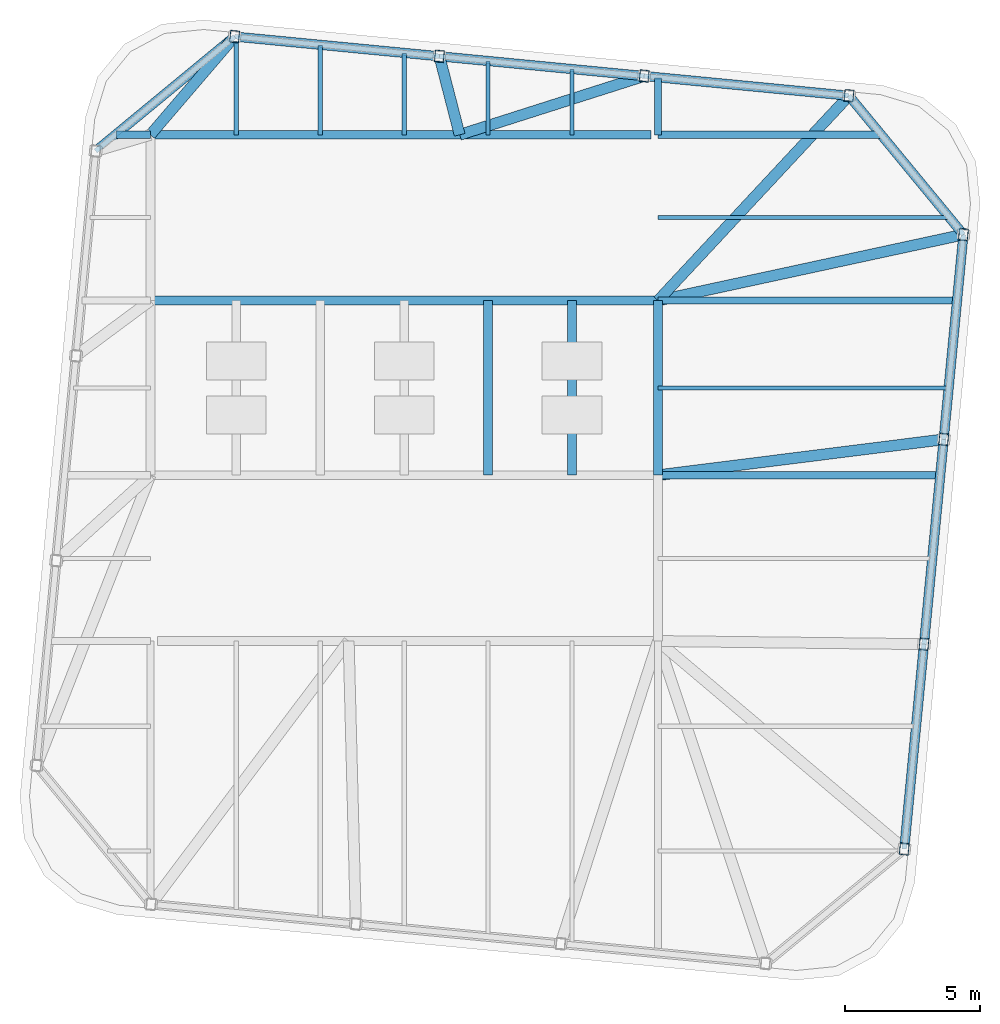
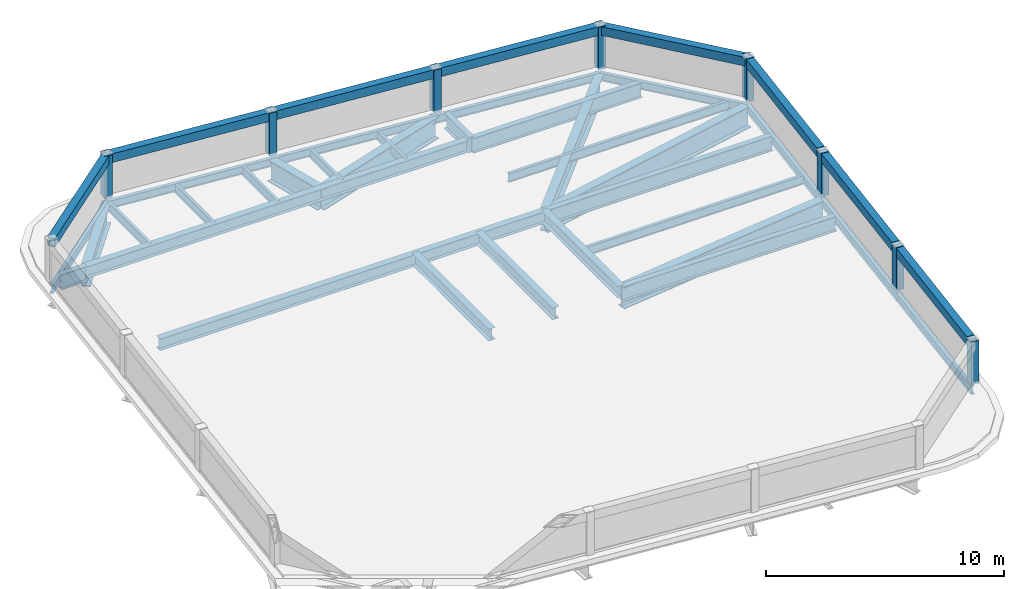
# One storey, part 2 of 4: 31 beams, 16 members.
"""IFC4 building model written with IfcOpenShell, lengths in metres."""

from ifc_helpers import new_model, si_unit, direction, frame, origin, origin_2d, place, context, subcontext, project, spatial, hollow_rectangle, i_section, extrude, material, material_profile, profile_set, type_object, element, save


model = new_model("IFC4")

# Units and contexts
model_context = context("Model", 3, precision=1e-05, world=origin(), true_north=direction((0.0, 1.0)))
body_context = subcontext(model_context, "Body", "Model", "MODEL_VIEW")
ifc_project = project(units=[si_unit("LENGTHUNIT", "METRE"), si_unit("AREAUNIT", "SQUARE_METRE"), si_unit("VOLUMEUNIT", "CUBIC_METRE"), si_unit("PLANEANGLEUNIT", "RADIAN"), si_unit("MASSUNIT", "GRAM", prefix="KILO")], contexts=[model_context])

# Site, building, storey
site_placement = place(None, origin())
site = spatial("IfcSite", under=ifc_project, at=site_placement, CompositionType="ELEMENT")
building_placement = place(site_placement, origin())
building = spatial("IfcBuilding", under=site, at=building_placement, Name="Qhalaya Broadcast Tower", CompositionType="ELEMENT")
storey_placement = place(building_placement, frame((0.0, 0.0, 296.75)))
storey = spatial("IfcBuildingStorey", under=building, at=storey_placement, Name="Roof", CompositionType="ELEMENT", Elevation=296.75)

# Beams
ifc_material_1 = material(Name="Structural Steel ASTM A992 Grade 50", Category="steel")
ifc_material_profile_1 = material_profile(ifc_material_1, i_section(OverallWidth=0.154052734375, OverallDepth=0.458984375, WebThickness=0.009033203125, FlangeThickness=0.015380859375, at=origin_2d()), Name="W18X46")
ifc_profile_set_1 = profile_set([ifc_material_profile_1], Name="Structural Steel ASTM A992 Grade 50")
beam_type_1 = type_object("IfcBeamType", Name="Composite Floor Joist J04", PredefinedType="JOIST", material=ifc_profile_set_1)
beam_1_placement = place(storey_placement, frame((-6.199951171875, 9.949951171875, -0.489501953125), z_axis=(0.0, 1.0, 0.0), x_axis=(-1.0, 0.0, 0.0)))
element("IfcBeam", 1, at=beam_1_placement, inside=storey, type_object=beam_type_1, Name="Roof J04 Roof-JNN1-1", PredefinedType="JOIST", context=body_context, shape_type="SweptSolid", body=[
    extrude(i_section(OverallWidth=0.154052734375, OverallDepth=0.458984375, WebThickness=0.009033203125, FlangeThickness=0.015380859375, at=origin_2d()), origin(), (0.0, 0.0, 1.0), 3.602294921875),
])
beam_2_placement = place(storey_placement, frame((-3.10009765625, 9.949951171875, -0.489501953125), z_axis=(0.0, 1.0, 0.0), x_axis=(-1.0, 0.0, 0.0)))
element("IfcBeam", 2, at=beam_2_placement, inside=storey, type_object=beam_type_1, Name="Roof J04 Roof-JNN2-1", PredefinedType="JOIST", context=body_context, shape_type="SweptSolid", body=[
    extrude(i_section(OverallWidth=0.154052734375, OverallDepth=0.458984375, WebThickness=0.009033203125, FlangeThickness=0.015380859375, at=origin_2d()), origin(), (0.0, 0.0, 1.0), 3.3037109375),
])
beam_3_placement = place(storey_placement, frame((0.0, 9.949951171875, -0.489501953125), z_axis=(0.0, 1.0, 0.0), x_axis=(-1.0, 0.0, 0.0)))
element("IfcBeam", 3, at=beam_3_placement, inside=storey, type_object=beam_type_1, Name="Roof J04 Roof-JNN3-1", PredefinedType="JOIST", context=body_context, shape_type="SweptSolid", body=[
    extrude(i_section(OverallWidth=0.154052734375, OverallDepth=0.458984375, WebThickness=0.009033203125, FlangeThickness=0.015380859375, at=origin_2d()), origin(), (0.0, 0.0, 1.0), 3.005126953125),
])
beam_4_placement = place(storey_placement, frame((3.10009765625, 9.949951171875, -0.489501953125), z_axis=(0.0, 1.0, 0.0), x_axis=(-1.0, 0.0, 0.0)))
element("IfcBeam", 4, at=beam_4_placement, inside=storey, type_object=beam_type_1, Name="Roof J04 Roof-JNN4-1", PredefinedType="JOIST", context=body_context, shape_type="SweptSolid", body=[
    extrude(i_section(OverallWidth=0.154052734375, OverallDepth=0.458984375, WebThickness=0.009033203125, FlangeThickness=0.015380859375, at=origin_2d()), origin(), (0.0, 0.0, 1.0), 2.706787109375),
])
beam_5_placement = place(storey_placement, frame((6.199951171875, 9.949951171875, -0.489501953125), z_axis=(0.0, 1.0, 0.0), x_axis=(-1.0, 0.0, 0.0)))
element("IfcBeam", 5, at=beam_5_placement, inside=storey, type_object=beam_type_1, Name="Roof J04 Roof-JNN5-1", PredefinedType="JOIST", context=body_context, shape_type="SweptSolid", body=[
    extrude(i_section(OverallWidth=0.154052734375, OverallDepth=0.458984375, WebThickness=0.009033203125, FlangeThickness=0.015380859375, at=origin_2d()), origin(), (0.0, 0.0, 1.0), 2.408447265625),
])
beam_6_placement = place(storey_placement, frame((9.375, 0.60009765625, -0.489501953125), z_axis=(1.0, 0.0, 0.0), x_axis=(0.0, 1.0, 0.0)))
element("IfcBeam", 6, at=beam_6_placement, inside=storey, type_object=beam_type_1, Name="Roof J04 Roof-JWE4E-1", PredefinedType="JOIST", context=body_context, shape_type="SweptSolid", body=[
    extrude(i_section(OverallWidth=0.154052734375, OverallDepth=0.458984375, WebThickness=0.009033203125, FlangeThickness=0.015380859375, at=origin_2d()), origin(), (0.0, 0.0, 1.0), 10.718017578125),
])
beam_7_placement = place(storey_placement, frame((9.375, 6.89990234375, -0.489501953125), z_axis=(1.0, 0.0, 0.0), x_axis=(0.0, 1.0, 0.0)))
element("IfcBeam", 7, at=beam_7_placement, inside=storey, type_object=beam_type_1, Name="Roof J04 Roof-JWE5E-1", PredefinedType="JOIST", context=body_context, shape_type="SweptSolid", body=[
    extrude(i_section(OverallWidth=0.154052734375, OverallDepth=0.458984375, WebThickness=0.009033203125, FlangeThickness=0.015380859375, at=origin_2d()), origin(), (0.0, 0.0, 1.0), 10.733642578125),
])
ifc_material_profile_2 = material_profile(ifc_material_1, i_section(OverallWidth=0.323974609375, OverallDepth=0.612060546875, WebThickness=0.0126953125, FlangeThickness=0.01904296875, at=origin_2d()), Name="W24X104")
ifc_profile_set_2 = profile_set([ifc_material_profile_2], Name="Structural Steel ASTM A992 Grade 50")
beam_type_2 = type_object("IfcBeamType", Name="Core Frame Tie Beam B04", PredefinedType="BEAM", material=ifc_profile_set_2)
beam_8_placement = place(storey_placement, frame((-9.375, 3.824951171875, -0.56591796875), z_axis=(1.0, 0.0, 0.0), x_axis=(0.0, 1.0, 0.0)))
element("IfcBeam", 8, at=beam_8_placement, inside=storey, type_object=beam_type_2, Name="Roof B04 Roof-CCN1", PredefinedType="BEAM", context=body_context, shape_type="SweptSolid", body=[
    extrude(i_section(OverallWidth=0.323974609375, OverallDepth=0.612060546875, WebThickness=0.0126953125, FlangeThickness=0.01904296875, at=origin_2d()), origin(), (0.0, 0.0, 1.0), 18.75),
])
beam_9_placement = place(storey_placement, frame((-9.375, 9.949951171875, -0.56591796875), z_axis=(1.0, 0.0, 0.0), x_axis=(0.0, 1.0, 0.0)))
element("IfcBeam", 9, at=beam_9_placement, inside=storey, type_object=beam_type_2, Name="Roof B04 Roof-CCN3", PredefinedType="BEAM", context=body_context, shape_type="SweptSolid", body=[
    extrude(i_section(OverallWidth=0.323974609375, OverallDepth=0.612060546875, WebThickness=0.0126953125, FlangeThickness=0.01904296875, at=origin_2d()), origin(), (0.0, 0.0, 1.0), 18.4951171875),
])
for number, where, z_axis, x_axis, name in (
    (10, (9.375, -2.625, -0.56591796875), (0.0, 1.0, 0.0), (-1.0, 0.0, 0.0), "Roof B04 Roof-CCE"),
    (11, (3.10009765625, -2.625, -0.56591796875), (0.0, 1.0, 0.0), (-1.0, 0.0, 0.0), "Roof B04 Roof-JC4-1"),
    (12, (6.199951171875, -2.625, -0.56591796875), (0.0, 1.0, 0.0), (-1.0, 0.0, 0.0), "Roof B04 Roof-JC5-1"),
):
    element("IfcBeam", number, at=place(storey_placement, frame(where, z_axis=z_axis, x_axis=x_axis)), inside=storey, type_object=beam_type_2, Name=name, PredefinedType="BEAM", context=body_context, shape_type="SweptSolid", body=[
        extrude(i_section(OverallWidth=0.323974609375, OverallDepth=0.612060546875, WebThickness=0.0126953125, FlangeThickness=0.01904296875, at=origin_2d()), origin(), (0.0, 0.0, 1.0), 6.449951171875),
    ])

# Members
ifc_material_2 = material(Name="Structural Steel ASTM A572 Grade 50", Category="steel")
ifc_material_profile_3 = material_profile(ifc_material_2, hollow_rectangle(XDim=0.35009765625, YDim=0.449951171875, WallThickness=0.02490234375, at=origin_2d()), Name="BOX 350x450x25")
ifc_profile_set_3 = profile_set([ifc_material_profile_3], Name="Structural Steel ASTM A572 Grade 50")
member_type = type_object("IfcMemberType", Name="Crown Frame Structural Post & Cap CF1", PredefinedType="STRUT", material=ifc_profile_set_3)
member_1_placement = place(storey_placement, frame((18.47314453125, -16.4306640625, 0.0), z_axis=(0.0, 0.0, 1.0), x_axis=(0.995396198367, -0.09584575252, 0.0)))
element("IfcMember", 13, at=member_1_placement, inside=storey, type_object=member_type, Name="CROWN FRAME Post CF-05", PredefinedType="STRUT", context=body_context, shape_type="SweptSolid", body=[
    extrude(hollow_rectangle(XDim=0.35009765625, YDim=0.449951171875, WallThickness=0.02490234375, at=origin_2d()), origin(), (0.0, 0.0, 1.0), 2.199951171875),
])
member_2_placement = place(storey_placement, frame((18.47314453125, -16.4306640625, 1.97509765625), z_axis=(0.095855022822, 0.995395305695, 0.0), x_axis=(-0.995395305695, 0.095855022822, 0.0)))
element("IfcMember", 14, at=member_2_placement, inside=storey, type_object=member_type, Name="CROWN FRAME Cap Ring Beam CFR-05", PredefinedType="STRUT", context=body_context, shape_type="SweptSolid", body=[
    extrude(hollow_rectangle(XDim=0.35009765625, YDim=0.449951171875, WallThickness=0.02490234375, at=origin_2d()), origin(), (0.0, 0.0, 1.0), 7.60009765625),
])
member_3_placement = place(storey_placement, frame((19.20166015625, -8.865478515625, 0.0), z_axis=(0.0, 0.0, 1.0), x_axis=(0.995396198367, -0.09584575252, 0.0)))
element("IfcMember", 15, at=member_3_placement, inside=storey, type_object=member_type, Name="CROWN FRAME Post CF-06", PredefinedType="STRUT", context=body_context, shape_type="SweptSolid", body=[
    extrude(hollow_rectangle(XDim=0.35009765625, YDim=0.449951171875, WallThickness=0.02490234375, at=origin_2d()), origin(), (0.0, 0.0, 1.0), 2.199951171875),
])
member_4_placement = place(storey_placement, frame((19.20166015625, -8.865478515625, 1.97509765625), z_axis=(0.095858087892, 0.995395010529, 0.0), x_axis=(-0.995395010529, 0.095858087892, 0.0)))
element("IfcMember", 16, at=member_4_placement, inside=storey, type_object=member_type, Name="CROWN FRAME Cap Ring Beam CFR-06", PredefinedType="STRUT", context=body_context, shape_type="SweptSolid", body=[
    extrude(hollow_rectangle(XDim=0.35009765625, YDim=0.449951171875, WallThickness=0.02490234375, at=origin_2d()), origin(), (0.0, 0.0, 1.0), 7.599853515625),
])
member_5_placement = place(storey_placement, frame((19.93017578125, -1.300537109375, 0.0), z_axis=(0.0, 0.0, 1.0), x_axis=(0.995396198367, -0.09584575252, 0.0)))
element("IfcMember", 17, at=member_5_placement, inside=storey, type_object=member_type, Name="CROWN FRAME Post CF-07", PredefinedType="STRUT", context=body_context, shape_type="SweptSolid", body=[
    extrude(hollow_rectangle(XDim=0.35009765625, YDim=0.449951171875, WallThickness=0.02490234375, at=origin_2d()), origin(), (0.0, 0.0, 1.0), 2.199951171875),
])
member_6_placement = place(storey_placement, frame((19.93017578125, -1.300537109375, 1.97509765625), z_axis=(0.095826258901, 0.995398075197, 0.0), x_axis=(-0.995398075197, 0.095826258901, 0.0)))
element("IfcMember", 18, at=member_6_placement, inside=storey, type_object=member_type, Name="CROWN FRAME Cap Ring Beam CFR-07", PredefinedType="STRUT", context=body_context, shape_type="SweptSolid", body=[
    extrude(hollow_rectangle(XDim=0.35009765625, YDim=0.449951171875, WallThickness=0.02490234375, at=origin_2d()), origin(), (0.0, 0.0, 1.0), 7.599853515625),
])
member_7_placement = place(storey_placement, frame((20.658447265625, 6.264404296875, 0.0), z_axis=(0.0, 0.0, 1.0), x_axis=(0.995396198367, -0.09584575252, 0.0)))
element("IfcMember", 19, at=member_7_placement, inside=storey, type_object=member_type, Name="CROWN FRAME Post CF-08", PredefinedType="STRUT", context=body_context, shape_type="SweptSolid", body=[
    extrude(hollow_rectangle(XDim=0.35009765625, YDim=0.449951171875, WallThickness=0.02490234375, at=origin_2d()), origin(), (0.0, 0.0, 1.0), 2.199951171875),
])
member_8_placement = place(storey_placement, frame((20.658447265625, 6.264404296875, 1.97509765625), z_axis=(-0.636063812645, 0.771636459898, 0.0), x_axis=(-0.771636459898, -0.636063812645, 0.0)))
element("IfcMember", 20, at=member_8_placement, inside=storey, type_object=member_type, Name="CROWN FRAME Cap Ring Beam CFR-08", PredefinedType="STRUT", context=body_context, shape_type="SweptSolid", body=[
    extrude(hollow_rectangle(XDim=0.35009765625, YDim=0.449951171875, WallThickness=0.02490234375, at=origin_2d()), origin(), (0.0, 0.0, 1.0), 6.646728515625),
])
member_9_placement = place(storey_placement, frame((16.4306640625, 11.393310546875, 0.0), z_axis=(0.0, 0.0, 1.0), x_axis=(0.995396198367, -0.09584575252, 0.0)))
element("IfcMember", 21, at=member_9_placement, inside=storey, type_object=member_type, Name="CROWN FRAME Post CF-09", PredefinedType="STRUT", context=body_context, shape_type="SweptSolid", body=[
    extrude(hollow_rectangle(XDim=0.35009765625, YDim=0.449951171875, WallThickness=0.02490234375, at=origin_2d()), origin(), (0.0, 0.0, 1.0), 2.199951171875),
])
member_10_placement = place(storey_placement, frame((16.4306640625, 11.393310546875, 1.97509765625), z_axis=(-0.995398370168, 0.09582319483, 0.0), x_axis=(-0.09582319483, -0.995398370168, 0.0)))
element("IfcMember", 22, at=member_10_placement, inside=storey, type_object=member_type, Name="CROWN FRAME Cap Ring Beam CFR-09", PredefinedType="STRUT", context=body_context, shape_type="SweptSolid", body=[
    extrude(hollow_rectangle(XDim=0.35009765625, YDim=0.449951171875, WallThickness=0.02490234375, at=origin_2d()), origin(), (0.0, 0.0, 1.0), 7.60009765625),
])
member_11_placement = place(storey_placement, frame((8.865478515625, 12.12158203125, 0.0), z_axis=(0.0, 0.0, 1.0), x_axis=(0.995396198367, -0.09584575252, 0.0)))
element("IfcMember", 23, at=member_11_placement, inside=storey, type_object=member_type, Name="CROWN FRAME Post CF-10", PredefinedType="STRUT", context=body_context, shape_type="SweptSolid", body=[
    extrude(hollow_rectangle(XDim=0.35009765625, YDim=0.449951171875, WallThickness=0.02490234375, at=origin_2d()), origin(), (0.0, 0.0, 1.0), 2.199951171875),
])
member_12_placement = place(storey_placement, frame((8.865478515625, 12.12158203125, 1.97509765625), z_axis=(-0.995395010529, 0.095858087892, 0.0), x_axis=(-0.095858087892, -0.995395010529, 0.0)))
element("IfcMember", 24, at=member_12_placement, inside=storey, type_object=member_type, Name="CROWN FRAME Cap Ring Beam CFR-10", PredefinedType="STRUT", context=body_context, shape_type="SweptSolid", body=[
    extrude(hollow_rectangle(XDim=0.35009765625, YDim=0.449951171875, WallThickness=0.02490234375, at=origin_2d()), origin(), (0.0, 0.0, 1.0), 7.599853515625),
])
member_13_placement = place(storey_placement, frame((1.300537109375, 12.85009765625, 0.0), z_axis=(0.0, 0.0, 1.0), x_axis=(0.995396198367, -0.09584575252, 0.0)))
element("IfcMember", 25, at=member_13_placement, inside=storey, type_object=member_type, Name="CROWN FRAME Post CF-11", PredefinedType="STRUT", context=body_context, shape_type="SweptSolid", body=[
    extrude(hollow_rectangle(XDim=0.35009765625, YDim=0.449951171875, WallThickness=0.02490234375, at=origin_2d()), origin(), (0.0, 0.0, 1.0), 2.199951171875),
])
member_14_placement = place(storey_placement, frame((1.300537109375, 12.85009765625, 1.97509765625), z_axis=(-0.995395010529, 0.095858087892, 0.0), x_axis=(-0.095858087892, -0.995395010529, 0.0)))
element("IfcMember", 26, at=member_14_placement, inside=storey, type_object=member_type, Name="CROWN FRAME Cap Ring Beam CFR-11", PredefinedType="STRUT", context=body_context, shape_type="SweptSolid", body=[
    extrude(hollow_rectangle(XDim=0.35009765625, YDim=0.449951171875, WallThickness=0.02490234375, at=origin_2d()), origin(), (0.0, 0.0, 1.0), 7.599853515625),
])
member_15_placement = place(storey_placement, frame((-6.264404296875, 13.57861328125, 0.0), z_axis=(0.0, 0.0, 1.0), x_axis=(0.995396198367, -0.09584575252, 0.0)))
element("IfcMember", 27, at=member_15_placement, inside=storey, type_object=member_type, Name="CROWN FRAME Post CF-12", PredefinedType="STRUT", context=body_context, shape_type="SweptSolid", body=[
    extrude(hollow_rectangle(XDim=0.35009765625, YDim=0.449951171875, WallThickness=0.02490234375, at=origin_2d()), origin(), (0.0, 0.0, 1.0), 2.199951171875),
])
member_16_placement = place(storey_placement, frame((-6.264404296875, 13.57861328125, 1.97509765625), z_axis=(-0.771618432262, -0.636085682117, 0.0), x_axis=(0.636085682117, -0.771618432262, 0.0)))
element("IfcMember", 28, at=member_16_placement, inside=storey, type_object=member_type, Name="CROWN FRAME Cap Ring Beam CFR-12", PredefinedType="STRUT", context=body_context, shape_type="SweptSolid", body=[
    extrude(hollow_rectangle(XDim=0.35009765625, YDim=0.449951171875, WallThickness=0.02490234375, at=origin_2d()), origin(), (0.0, 0.0, 1.0), 6.64697265625),
])

# Beams
ifc_material_profile_4 = material_profile(ifc_material_1, i_section(OverallWidth=0.26708984375, OverallDepth=0.780029296875, WebThickness=0.0166015625, FlangeThickness=0.030029296875, at=origin_2d()), Name="W30X148")
ifc_profile_set_4 = profile_set([ifc_material_profile_4], Name="Structural Steel ASTM A992 Grade 50")
beam_type_3 = type_object("IfcBeamType", Name="Neck & Crown Primary Girder PG5", PredefinedType="USERDEFINED", material=ifc_profile_set_4)
beam_10_placement = place(storey_placement, frame((9.375, 9.949951171875, -0.64990234375), z_axis=(0.0, 1.0, 0.0), x_axis=(-1.0, 0.0, 0.0)))
element("IfcBeam", 29, at=beam_10_placement, inside=storey, type_object=beam_type_3, Name="Roof PG5 Roof-PGXN2-1", ObjectType="GIRDER", PredefinedType="USERDEFINED", context=body_context, shape_type="SweptSolid", body=[
    extrude(i_section(OverallWidth=0.26708984375, OverallDepth=0.780029296875, WebThickness=0.0166015625, FlangeThickness=0.030029296875, at=origin_2d()), origin(), (0.0, 0.0, 1.0), 2.1025390625),
])
beam_11_placement = place(storey_placement, frame((9.375, -2.625, -0.64990234375), z_axis=(1.0, 0.0, 0.0), x_axis=(0.0, 1.0, 0.0)))
element("IfcBeam", 30, at=beam_11_placement, inside=storey, type_object=beam_type_3, Name="Roof PG5 Roof-PGYE2-1", ObjectType="GIRDER", PredefinedType="USERDEFINED", context=body_context, shape_type="SweptSolid", body=[
    extrude(i_section(OverallWidth=0.26708984375, OverallDepth=0.780029296875, WebThickness=0.0166015625, FlangeThickness=0.030029296875, at=origin_2d()), origin(), (0.0, 0.0, 1.0), 10.407470703125),
])
beam_12_placement = place(storey_placement, frame((9.375, 3.824951171875, -0.64990234375), z_axis=(1.0, 0.0, 0.0), x_axis=(0.0, 1.0, 0.0)))
element("IfcBeam", 31, at=beam_12_placement, inside=storey, type_object=beam_type_3, Name="Roof PG5 Roof-PGYE3-1", ObjectType="GIRDER", PredefinedType="USERDEFINED", context=body_context, shape_type="SweptSolid", body=[
    extrude(i_section(OverallWidth=0.26708984375, OverallDepth=0.780029296875, WebThickness=0.0166015625, FlangeThickness=0.030029296875, at=origin_2d()), origin(), (0.0, 0.0, 1.0), 11.028564453125),
])
beam_13_placement = place(storey_placement, frame((-10.634521484375, 9.949951171875, -0.64990234375), z_axis=(1.0, 0.0, 0.0), x_axis=(0.0, 1.0, 0.0)))
element("IfcBeam", 32, at=beam_13_placement, inside=storey, type_object=beam_type_3, Name="Roof PG5 Roof-PGYW4-1", ObjectType="GIRDER", PredefinedType="USERDEFINED", context=body_context, shape_type="SweptSolid", body=[
    extrude(i_section(OverallWidth=0.26708984375, OverallDepth=0.780029296875, WebThickness=0.0166015625, FlangeThickness=0.030029296875, at=origin_2d()), origin(), (0.0, 0.0, 1.0), 1.259521484375),
])
beam_14_placement = place(storey_placement, frame((9.375, 9.949951171875, -0.64990234375), z_axis=(1.0, 0.0, 0.0), x_axis=(0.0, 1.0, 0.0)))
element("IfcBeam", 33, at=beam_14_placement, inside=storey, type_object=beam_type_3, Name="Roof PG5 Roof-PGYE4-1", ObjectType="GIRDER", PredefinedType="USERDEFINED", context=body_context, shape_type="SweptSolid", body=[
    extrude(i_section(OverallWidth=0.26708984375, OverallDepth=0.780029296875, WebThickness=0.0166015625, FlangeThickness=0.030029296875, at=origin_2d()), origin(), (0.0, 0.0, 1.0), 8.219482421875),
])
ifc_material_profile_5 = material_profile(ifc_material_1, i_section(OverallWidth=0.404052734375, OverallDepth=1.117919921875, WebThickness=0.026123046875, FlangeThickness=0.044921875, at=origin_2d()), Name="W44X335")
ifc_profile_set_5 = profile_set([ifc_material_profile_5], Name="Structural Steel ASTM A992 Grade 50")
beam_type_4 = type_object("IfcBeamType", Name="Podium Long-Span Primary Girder PG1", PredefinedType="USERDEFINED", material=ifc_profile_set_5)
beam_15_placement = place(storey_placement, frame((9.375, -2.625, -0.819091796875), z_axis=(0.99221915523, 0.124503606354, 0.0), x_axis=(-0.124503606354, 0.99221915523, 0.0)))
element("IfcBeam", 34, at=beam_15_placement, inside=storey, type_object=beam_type_4, Name="Roof Column-to-Column Moment Tie 07", ObjectType="GIRDER", PredefinedType="USERDEFINED", context=body_context, shape_type="SweptSolid", body=[
    extrude(i_section(OverallWidth=0.404052734375, OverallDepth=1.117919921875, WebThickness=0.026123046875, FlangeThickness=0.044921875, at=origin_2d()), origin(), (0.0, 0.0, 1.0), 10.637939453125),
])
beam_16_placement = place(storey_placement, frame((9.375, 3.824951171875, -0.819091796875), z_axis=(0.977417943374, 0.211315318826, 0.0), x_axis=(-0.211315318826, 0.977417943374, 0.0)))
element("IfcBeam", 35, at=beam_16_placement, inside=storey, type_object=beam_type_4, Name="Roof Column-to-Column Moment Tie 08", ObjectType="GIRDER", PredefinedType="USERDEFINED", context=body_context, shape_type="SweptSolid", body=[
    extrude(i_section(OverallWidth=0.404052734375, OverallDepth=1.117919921875, WebThickness=0.026123046875, FlangeThickness=0.044921875, at=origin_2d()), origin(), (0.0, 0.0, 1.0), 11.544189453125),
])
beam_17_placement = place(storey_placement, frame((9.375, 3.824951171875, -0.819091796875), z_axis=(0.681897797677, 0.731447464636, 0.0), x_axis=(-0.731447464636, 0.681897797677, 0.0)))
element("IfcBeam", 36, at=beam_17_placement, inside=storey, type_object=beam_type_4, Name="Roof Column-to-Column Moment Tie 09", ObjectType="GIRDER", PredefinedType="USERDEFINED", context=body_context, shape_type="SweptSolid", body=[
    extrude(i_section(OverallWidth=0.404052734375, OverallDepth=1.117919921875, WebThickness=0.026123046875, FlangeThickness=0.044921875, at=origin_2d()), origin(), (0.0, 0.0, 1.0), 10.34716796875),
])
beam_18_placement = place(storey_placement, frame((2.050048828125, 9.949951171875, -0.819091796875), z_axis=(0.952801086152, 0.303595273725, 0.0), x_axis=(-0.303595273725, 0.952801086152, 0.0)))
element("IfcBeam", 37, at=beam_18_placement, inside=storey, type_object=beam_type_4, Name="Roof Column-to-Column Moment Tie 10", ObjectType="GIRDER", PredefinedType="USERDEFINED", context=body_context, shape_type="SweptSolid", body=[
    extrude(i_section(OverallWidth=0.404052734375, OverallDepth=1.117919921875, WebThickness=0.026123046875, FlangeThickness=0.044921875, at=origin_2d()), origin(), (0.0, 0.0, 1.0), 7.153076171875),
])
beam_19_placement = place(storey_placement, frame((2.050048828125, 9.949951171875, -0.819091796875), z_axis=(-0.250218174683, 0.96818947787, 0.0), x_axis=(-0.96818947787, -0.250218174683, 0.0)))
element("IfcBeam", 38, at=beam_19_placement, inside=storey, type_object=beam_type_4, Name="Roof Column-to-Column Moment Tie 11", ObjectType="GIRDER", PredefinedType="USERDEFINED", context=body_context, shape_type="SweptSolid", body=[
    extrude(i_section(OverallWidth=0.404052734375, OverallDepth=1.117919921875, WebThickness=0.026123046875, FlangeThickness=0.044921875, at=origin_2d()), origin(), (0.0, 0.0, 1.0), 2.995361328125),
])
beam_20_placement = place(storey_placement, frame((-9.375, 9.949951171875, -0.819091796875), z_axis=(0.650829233044, 0.759224149653, 0.0), x_axis=(-0.759224149653, 0.650829233044, 0.0)))
element("IfcBeam", 39, at=beam_20_placement, inside=storey, type_object=beam_type_4, Name="Roof Column-to-Column Moment Tie 12", ObjectType="GIRDER", PredefinedType="USERDEFINED", context=body_context, shape_type="SweptSolid", body=[
    extrude(i_section(OverallWidth=0.404052734375, OverallDepth=1.117919921875, WebThickness=0.026123046875, FlangeThickness=0.044921875, at=origin_2d()), origin(), (0.0, 0.0, 1.0), 4.779541015625),
])
ifc_material_profile_6 = material_profile(ifc_material_1, i_section(OverallWidth=0.177978515625, OverallDepth=0.406005859375, WebThickness=0.0078125, FlangeThickness=0.0126953125, at=origin_2d()), Name="W16X40")
ifc_profile_set_6 = profile_set([ifc_material_profile_6], Name="Structural Steel ASTM A992 Grade 50")
beam_type_5 = type_object("IfcBeamType", Name="Upper Perimeter Spandrel Beam SP2", PredefinedType="SPANDREL", material=ifc_profile_set_6)
beam_21_placement = place(storey_placement, frame((18.47314453125, -16.4306640625, -0.462890625), z_axis=(0.095855022822, 0.995395305695, 0.0), x_axis=(-0.995395305695, 0.095855022822, 0.0)))
element("IfcBeam", 40, at=beam_21_placement, inside=storey, type_object=beam_type_5, Name="Roof SP2 Roof-SPR-05", PredefinedType="SPANDREL", context=body_context, shape_type="SweptSolid", body=[
    extrude(i_section(OverallWidth=0.177978515625, OverallDepth=0.406005859375, WebThickness=0.0078125, FlangeThickness=0.0126953125, at=origin_2d()), origin(), (0.0, 0.0, 1.0), 7.60009765625),
])
for number, where, z_axis, x_axis, name in (
    (41, (19.20166015625, -8.865478515625, -0.462890625), (0.095858087892, 0.995395010529, 0.0), (-0.995395010529, 0.095858087892, 0.0), "Roof SP2 Roof-SPR-06"),
    (42, (19.93017578125, -1.300537109375, -0.462890625), (0.095826258901, 0.995398075197, 0.0), (-0.995398075197, 0.095826258901, 0.0), "Roof SP2 Roof-SPR-07"),
):
    element("IfcBeam", number, at=place(storey_placement, frame(where, z_axis=z_axis, x_axis=x_axis)), inside=storey, type_object=beam_type_5, Name=name, PredefinedType="SPANDREL", context=body_context, shape_type="SweptSolid", body=[
        extrude(i_section(OverallWidth=0.177978515625, OverallDepth=0.406005859375, WebThickness=0.0078125, FlangeThickness=0.0126953125, at=origin_2d()), origin(), (0.0, 0.0, 1.0), 7.599853515625),
    ])
beam_22_placement = place(storey_placement, frame((20.658447265625, 6.264404296875, -0.462890625), z_axis=(-0.636063812645, 0.771636459898, 0.0), x_axis=(-0.771636459898, -0.636063812645, 0.0)))
element("IfcBeam", 43, at=beam_22_placement, inside=storey, type_object=beam_type_5, Name="Roof SP2 Roof-SPR-08", PredefinedType="SPANDREL", context=body_context, shape_type="SweptSolid", body=[
    extrude(i_section(OverallWidth=0.177978515625, OverallDepth=0.406005859375, WebThickness=0.0078125, FlangeThickness=0.0126953125, at=origin_2d()), origin(), (0.0, 0.0, 1.0), 6.646728515625),
])
beam_23_placement = place(storey_placement, frame((16.4306640625, 11.393310546875, -0.462890625), z_axis=(-0.995398370168, 0.09582319483, 0.0), x_axis=(-0.09582319483, -0.995398370168, 0.0)))
element("IfcBeam", 44, at=beam_23_placement, inside=storey, type_object=beam_type_5, Name="Roof SP2 Roof-SPR-09", PredefinedType="SPANDREL", context=body_context, shape_type="SweptSolid", body=[
    extrude(i_section(OverallWidth=0.177978515625, OverallDepth=0.406005859375, WebThickness=0.0078125, FlangeThickness=0.0126953125, at=origin_2d()), origin(), (0.0, 0.0, 1.0), 7.60009765625),
])
for number, where, z_axis, x_axis, name in (
    (45, (8.865478515625, 12.12158203125, -0.462890625), (-0.995395010529, 0.095858087892, 0.0), (-0.095858087892, -0.995395010529, 0.0), "Roof SP2 Roof-SPR-10"),
    (46, (1.300537109375, 12.85009765625, -0.462890625), (-0.995395010529, 0.095858087892, 0.0), (-0.095858087892, -0.995395010529, 0.0), "Roof SP2 Roof-SPR-11"),
):
    element("IfcBeam", number, at=place(storey_placement, frame(where, z_axis=z_axis, x_axis=x_axis)), inside=storey, type_object=beam_type_5, Name=name, PredefinedType="SPANDREL", context=body_context, shape_type="SweptSolid", body=[
        extrude(i_section(OverallWidth=0.177978515625, OverallDepth=0.406005859375, WebThickness=0.0078125, FlangeThickness=0.0126953125, at=origin_2d()), origin(), (0.0, 0.0, 1.0), 7.599853515625),
    ])
beam_24_placement = place(storey_placement, frame((-6.264404296875, 13.57861328125, -0.462890625), z_axis=(-0.771618432262, -0.636085682117, 0.0), x_axis=(0.636085682117, -0.771618432262, 0.0)))
element("IfcBeam", 47, at=beam_24_placement, inside=storey, type_object=beam_type_5, Name="Roof SP2 Roof-SPR-12", PredefinedType="SPANDREL", context=body_context, shape_type="SweptSolid", body=[
    extrude(i_section(OverallWidth=0.177978515625, OverallDepth=0.406005859375, WebThickness=0.0078125, FlangeThickness=0.0126953125, at=origin_2d()), origin(), (0.0, 0.0, 1.0), 6.64697265625),
])

save(model, "model.ifc")
